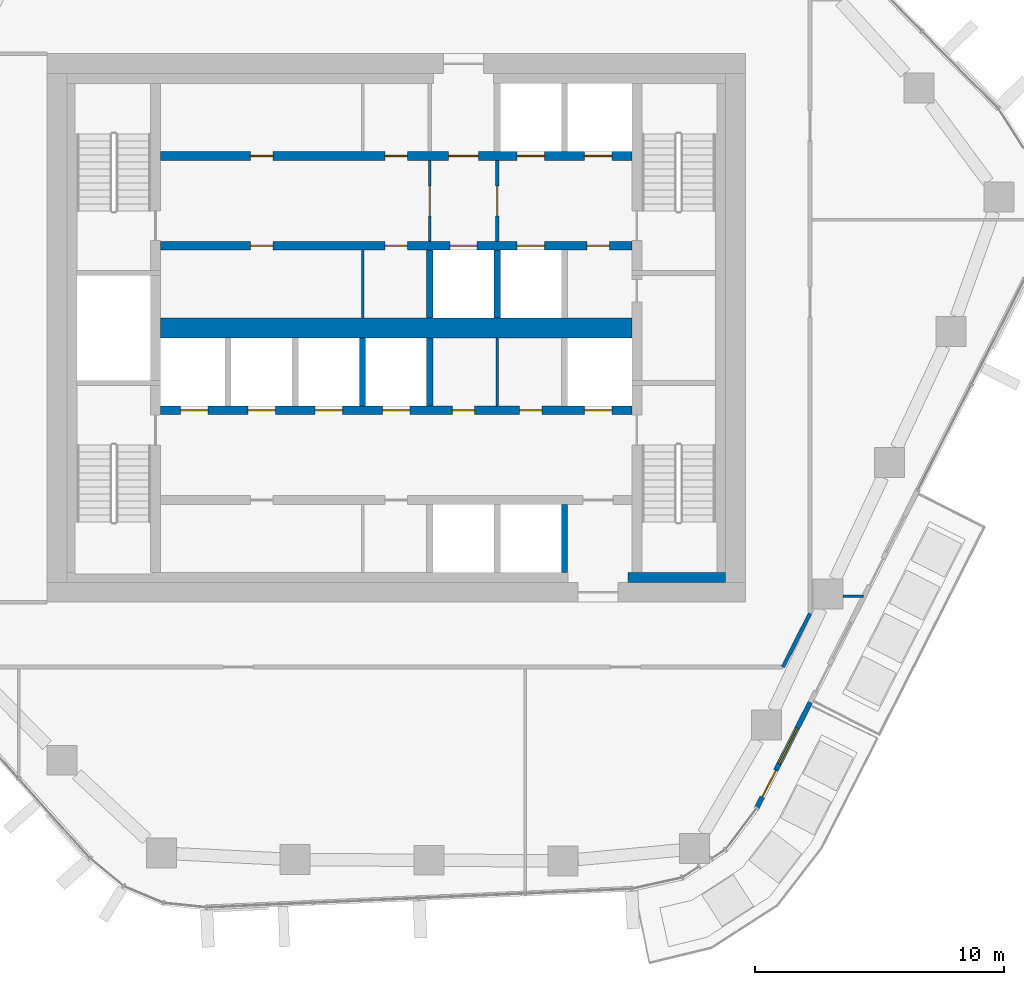
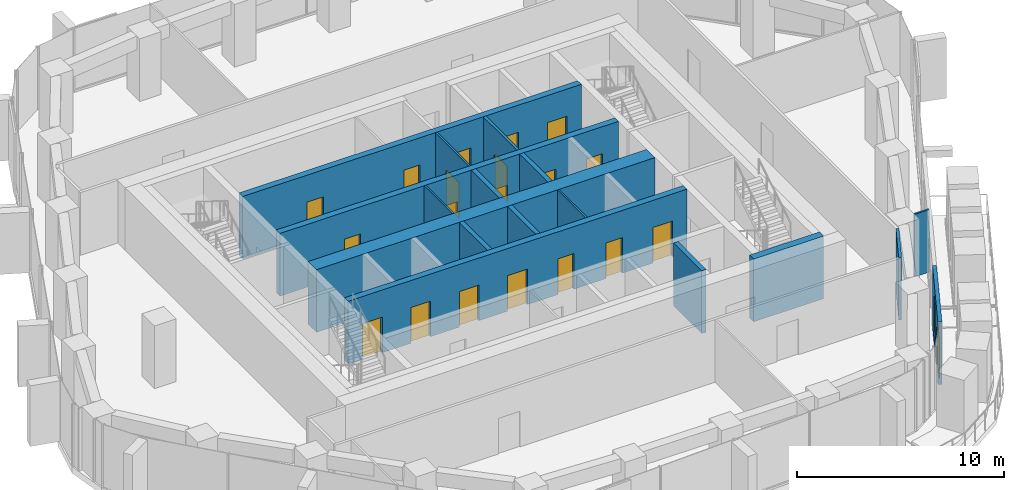
# One storey, part 11 of 17: 20 doors, 17 walls, 1 window, 21 openings.
"""IFC4 building model written with IfcOpenShell, lengths in metres."""

from ifc_helpers import new_model, si_unit, direction, frame, frame_2d, origin, place, context, subcontext, project, spatial, rectangle, extrude, material, layer, layer_set, type_object, element, fill, save


model = new_model("IFC4")

# Units and contexts
model_context = context("Model", 3, precision=1e-05, world=origin(), true_north=direction((0.0, 1.0)))
body_context = subcontext(model_context, "Body", "Model", "MODEL_VIEW")
ifc_project = project(units=[si_unit("LENGTHUNIT", "METRE"), si_unit("AREAUNIT", "SQUARE_METRE"), si_unit("VOLUMEUNIT", "CUBIC_METRE"), si_unit("PLANEANGLEUNIT", "RADIAN"), si_unit("MASSUNIT", "GRAM", prefix="KILO")], contexts=[model_context])

# Site, building, storey
site_placement = place(None, origin())
site = spatial("IfcSite", under=ifc_project, at=site_placement, CompositionType="ELEMENT")
building_placement = place(site_placement, origin())
building = spatial("IfcBuilding", under=site, at=building_placement, Name="Dongbaek Canopy Tower", CompositionType="ELEMENT")
storey_placement = place(building_placement, frame((0.0, 0.0, 179.60009765625)))
storey = spatial("IfcBuildingStorey", under=building, at=storey_placement, Name="L39", CompositionType="ELEMENT", Elevation=179.60009765625)

# Wall
ifc_material_1 = material(Name="Concrete C60/75", Category="concrete")
ifc_layer_1 = layer(ifc_material_1, 0.800048828125)
ifc_layer_set_1 = layer_set([ifc_layer_1], Name="Core central wall 800 Concrete C60/75")
wall_type_1 = type_object("IfcWallType", Name="Core central wall 800 Concrete C60/75", PredefinedType="SHEAR", material=ifc_layer_set_1)
wall_1_placement = place(storey_placement, frame((-9.449951171875, 0.0, 0.0), z_axis=(0.0, 0.0, 1.0), x_axis=(1.0, 0.0, 0.0)))
element("IfcWall", 1, at=wall_1_placement, inside=storey, type_object=wall_type_1, Name="Core wall", PredefinedType="SHEAR", context=body_context, shape_type="SweptSolid", body=[
    extrude(rectangle(XDim=18.89990234375, YDim=0.800048828125, at=frame_2d((9.449951171875, 0.0))), origin(), (0.0, 0.0, 1.0), 3.699951171875),
])

# Wall, openings, doors
ifc_material_2 = material(Name="Concrete C60/75", Category="concrete")
ifc_layer_2 = layer(ifc_material_2, 0.35009765625)
ifc_layer_set_2 = layer_set([ifc_layer_2], Name="Core lobby wall 350 Concrete C60/75")
wall_type_2 = type_object("IfcWallType", Name="Core lobby wall 350 Concrete C60/75", PredefinedType="SHEAR", material=ifc_layer_set_2)
wall_2_placement = place(storey_placement, frame((-9.449951171875, 6.89990234375, 0.0), z_axis=(0.0, 0.0, 1.0), x_axis=(1.0, 0.0, 0.0)))
wall_2 = element("IfcWall", 2, at=wall_2_placement, inside=storey, type_object=wall_type_2, Name="Core wall", PredefinedType="SHEAR", context=body_context, shape_type="SweptSolid", body=[
    extrude(rectangle(XDim=18.89990234375, YDim=0.35009765625, at=frame_2d((9.449951171875, 0.0))), origin(), (0.0, 0.0, 1.0), 3.699951171875),
])
opening_1_placement = place(wall_2_placement, frame((11.550048828125, 0.0, 0.0)))
opening_1 = element("IfcOpeningElement", 3, at=opening_1_placement, cuts=wall_2, Name="Opening L39-D009", PredefinedType="OPENING", context=body_context, shape_type="SweptSolid", body=[
    extrude(rectangle(XDim=1.199951171875, YDim=2.10009765625, at=frame_2d((0.60009765625, 1.050048828125))), frame((0.0, 0.18505859375, 0.0), z_axis=(0.0, -1.0, 0.0), x_axis=(1.0, 0.0, 0.0)), (0.0, 0.0, 1.0), 0.3701171875),
])
opening_2_placement = place(wall_2_placement, frame((14.300048828125, 0.0, 0.0)))
opening_2 = element("IfcOpeningElement", 4, at=opening_2_placement, cuts=wall_2, Name="Opening L39-D010", PredefinedType="OPENING", context=body_context, shape_type="SweptSolid", body=[
    extrude(rectangle(XDim=1.10009765625, YDim=2.10009765625, at=frame_2d((0.550048828125, 1.050048828125))), frame((0.0, 0.18505859375, 0.0), z_axis=(0.0, -1.0, 0.0), x_axis=(1.0, 0.0, 0.0)), (0.0, 0.0, 1.0), 0.3701171875),
])
opening_3_placement = place(wall_2_placement, frame((17.0, 0.0, 0.0)))
opening_3 = element("IfcOpeningElement", 5, at=opening_3_placement, cuts=wall_2, Name="Opening L39-D011", PredefinedType="OPENING", context=body_context, shape_type="SweptSolid", body=[
    extrude(rectangle(XDim=1.10009765625, YDim=2.10009765625, at=frame_2d((0.550048828125, 1.050048828125))), frame((0.0, 0.18505859375, 0.0), z_axis=(0.0, -1.0, 0.0), x_axis=(1.0, 0.0, 0.0)), (0.0, 0.0, 1.0), 0.3701171875),
])
opening_4_placement = place(wall_2_placement, frame((3.60009765625, 0.0, 0.0)))
opening_4 = element("IfcOpeningElement", 6, at=opening_4_placement, cuts=wall_2, Name="Opening L39-D022", PredefinedType="OPENING", context=body_context, shape_type="SweptSolid", body=[
    extrude(rectangle(XDim=0.89990234375, YDim=2.10009765625, at=frame_2d((0.449951171875, 1.050048828125))), frame((0.0, 0.18505859375, 0.0), z_axis=(0.0, -1.0, 0.0), x_axis=(1.0, 0.0, 0.0)), (0.0, 0.0, 1.0), 0.3701171875),
])
opening_5_placement = place(wall_2_placement, frame((9.0, 0.0, 0.0)))
opening_5 = element("IfcOpeningElement", 7, at=opening_5_placement, cuts=wall_2, Name="Opening L39-D023", PredefinedType="OPENING", context=body_context, shape_type="SweptSolid", body=[
    extrude(rectangle(XDim=0.89990234375, YDim=2.10009765625, at=frame_2d((0.449951171875, 1.050048828125))), frame((0.0, 0.18505859375, 0.0), z_axis=(0.0, -1.0, 0.0), x_axis=(1.0, 0.0, 0.0)), (0.0, 0.0, 1.0), 0.3701171875),
])
ifc_material_3 = material(Name="Steel", Category="steel")
door_type_1 = type_object("IfcDoorType", Name="Core room door 900 x 2100", OperationType="SINGLE_SWING_LEFT", PredefinedType="DOOR", material=ifc_material_3)
door_1_placement = place(opening_4_placement, origin())
door_1 = element("IfcDoor", 8, at=door_1_placement, inside=storey, type_object=door_type_1, Name="Door L39-D022", OperationType="SINGLE_SWING_RIGHT", OverallHeight=2.10009765625, OverallWidth=0.89990234375, PredefinedType="DOOR", context=body_context, shape_type="SweptSolid", body=[
    extrude(rectangle(XDim=0.89990234375, YDim=2.10009765625, at=frame_2d((0.449951171875, 1.050048828125))), frame((0.0, 0.02490234375, 0.0), z_axis=(0.0, -1.0, 0.0), x_axis=(1.0, 0.0, 0.0)), (0.0, 0.0, 1.0), 0.050048828125),
])
fill(opening_4, door_1)
door_2_placement = place(opening_5_placement, origin())
door_2 = element("IfcDoor", 9, at=door_2_placement, inside=storey, type_object=door_type_1, Name="Door L39-D023", OperationType="SINGLE_SWING_LEFT", OverallHeight=2.10009765625, OverallWidth=0.89990234375, PredefinedType="DOOR", context=body_context, shape_type="SweptSolid", body=[
    extrude(rectangle(XDim=0.89990234375, YDim=2.10009765625, at=frame_2d((0.449951171875, 1.050048828125))), frame((0.0, 0.02490234375, 0.0), z_axis=(0.0, -1.0, 0.0), x_axis=(1.0, 0.0, 0.0)), (0.0, 0.0, 1.0), 0.050048828125),
])
fill(opening_5, door_2)
ifc_material_4 = material(Name="Steel", Category="steel")
door_type_2 = type_object("IfcDoorType", Name="Fire lobby door 1200 x 2100", OperationType="SINGLE_SWING_LEFT", PredefinedType="DOOR", material=ifc_material_4)
door_3_placement = place(opening_1_placement, origin())
door_3 = element("IfcDoor", 10, at=door_3_placement, inside=storey, type_object=door_type_2, Name="Door L39-D009", OperationType="SINGLE_SWING_LEFT", OverallHeight=2.10009765625, OverallWidth=1.199951171875, PredefinedType="DOOR", context=body_context, shape_type="SweptSolid", body=[
    extrude(rectangle(XDim=1.199951171875, YDim=2.10009765625, at=frame_2d((0.60009765625, 1.050048828125))), frame((0.0, 0.02490234375, 0.0), z_axis=(0.0, -1.0, 0.0), x_axis=(1.0, 0.0, 0.0)), (0.0, 0.0, 1.0), 0.050048828125),
])
fill(opening_1, door_3)
ifc_material_5 = material(Name="Stainless steel", Category="steel")
door_type_3 = type_object("IfcDoorType", Name="Lift landing door 1100 x 2100", OperationType="DOUBLE_DOOR_SLIDING", PredefinedType="DOOR", material=ifc_material_5)
door_4_placement = place(opening_2_placement, origin())
door_4 = element("IfcDoor", 11, at=door_4_placement, inside=storey, type_object=door_type_3, Name="Landing door FF1", OperationType="DOUBLE_DOOR_SLIDING", OverallHeight=2.10009765625, OverallWidth=1.10009765625, PredefinedType="DOOR", context=body_context, shape_type="SweptSolid", body=[
    extrude(rectangle(XDim=1.10009765625, YDim=2.10009765625, at=frame_2d((0.550048828125, 1.050048828125))), frame((0.0, 0.02490234375, 0.0), z_axis=(0.0, -1.0, 0.0), x_axis=(1.0, 0.0, 0.0)), (0.0, 0.0, 1.0), 0.050048828125),
])
fill(opening_2, door_4)
door_5_placement = place(opening_3_placement, origin())
door_5 = element("IfcDoor", 12, at=door_5_placement, inside=storey, type_object=door_type_3, Name="Landing door FF2", OperationType="DOUBLE_DOOR_SLIDING", OverallHeight=2.10009765625, OverallWidth=1.10009765625, PredefinedType="DOOR", context=body_context, shape_type="SweptSolid", body=[
    extrude(rectangle(XDim=1.10009765625, YDim=2.10009765625, at=frame_2d((0.550048828125, 1.050048828125))), frame((0.0, 0.02490234375, 0.0), z_axis=(0.0, -1.0, 0.0), x_axis=(1.0, 0.0, 0.0)), (0.0, 0.0, 1.0), 0.050048828125),
])
fill(opening_3, door_5)

wall_3_placement = place(storey_placement, frame((9.449951171875, 3.300048828125, 0.0), z_axis=(0.0, 0.0, 1.0), x_axis=(-1.0, 0.0, 0.0)))
wall_3 = element("IfcWall", 13, at=wall_3_placement, inside=storey, type_object=wall_type_2, Name="Core wall", PredefinedType="SHEAR", context=body_context, shape_type="SweptSolid", body=[
    extrude(rectangle(XDim=18.89990234375, YDim=0.35009765625, at=frame_2d((9.449951171875, 0.0))), origin(), (0.0, 0.0, 1.0), 3.699951171875),
])
opening_6_placement = place(wall_3_placement, frame((6.199951171875, 0.0, 0.0)))
opening_6 = element("IfcOpeningElement", 14, at=opening_6_placement, cuts=wall_3, Name="Opening L39-D012", PredefinedType="OPENING", context=body_context, shape_type="SweptSolid", body=[
    extrude(rectangle(XDim=1.10009765625, YDim=2.10009765625, at=frame_2d((0.550048828125, 1.050048828125))), frame((0.0, 0.18505859375, 0.0), z_axis=(0.0, -1.0, 0.0), x_axis=(1.0, 0.0, 0.0)), (0.0, 0.0, 1.0), 0.3701171875),
])
opening_7_placement = place(wall_3_placement, frame((3.5, 0.0, 0.0)))
opening_7 = element("IfcOpeningElement", 15, at=opening_7_placement, cuts=wall_3, Name="Opening L39-D013", PredefinedType="OPENING", context=body_context, shape_type="SweptSolid", body=[
    extrude(rectangle(XDim=1.10009765625, YDim=2.10009765625, at=frame_2d((0.550048828125, 1.050048828125))), frame((0.0, 0.18505859375, 0.0), z_axis=(0.0, -1.0, 0.0), x_axis=(1.0, 0.0, 0.0)), (0.0, 0.0, 1.0), 0.3701171875),
])
opening_8_placement = place(wall_3_placement, frame((0.89990234375, 0.0, 0.0)))
opening_8 = element("IfcOpeningElement", 16, at=opening_8_placement, cuts=wall_3, Name="Opening L39-D014", PredefinedType="OPENING", context=body_context, shape_type="SweptSolid", body=[
    extrude(rectangle(XDim=0.89990234375, YDim=2.10009765625, at=frame_2d((0.449951171875, 1.050048828125))), frame((0.0, 0.18505859375, 0.0), z_axis=(0.0, -1.0, 0.0), x_axis=(1.0, 0.0, 0.0)), (0.0, 0.0, 1.0), 0.3701171875),
])
opening_9_placement = place(wall_3_placement, frame((14.39990234375, 0.0, 0.0)))
opening_9 = element("IfcOpeningElement", 17, at=opening_9_placement, cuts=wall_3, Name="Opening L39-D024", PredefinedType="OPENING", context=body_context, shape_type="SweptSolid", body=[
    extrude(rectangle(XDim=0.89990234375, YDim=2.10009765625, at=frame_2d((0.449951171875, 1.050048828125))), frame((0.0, 0.18505859375, 0.0), z_axis=(0.0, -1.0, 0.0), x_axis=(1.0, 0.0, 0.0)), (0.0, 0.0, 1.0), 0.3701171875),
])
opening_10_placement = place(wall_3_placement, frame((9.0, 0.0, 0.0)))
opening_10 = element("IfcOpeningElement", 18, at=opening_10_placement, cuts=wall_3, Name="Opening L39-D025", PredefinedType="OPENING", context=body_context, shape_type="SweptSolid", body=[
    extrude(rectangle(XDim=0.89990234375, YDim=2.10009765625, at=frame_2d((0.449951171875, 1.050048828125))), frame((0.0, 0.18505859375, 0.0), z_axis=(0.0, -1.0, 0.0), x_axis=(1.0, 0.0, 0.0)), (0.0, 0.0, 1.0), 0.3701171875),
])
door_6_placement = place(opening_8_placement, origin())
door_6 = element("IfcDoor", 19, at=door_6_placement, inside=storey, type_object=door_type_1, Name="Door L39-D014", OperationType="SINGLE_SWING_LEFT", OverallHeight=2.10009765625, OverallWidth=0.89990234375, PredefinedType="DOOR", context=body_context, shape_type="SweptSolid", body=[
    extrude(rectangle(XDim=0.89990234375, YDim=2.10009765625, at=frame_2d((0.449951171875, 1.050048828125))), frame((0.0, 0.02490234375, 0.0), z_axis=(0.0, -1.0, 0.0), x_axis=(1.0, 0.0, 0.0)), (0.0, 0.0, 1.0), 0.050048828125),
])
fill(opening_8, door_6)
door_7_placement = place(opening_9_placement, origin())
door_7 = element("IfcDoor", 20, at=door_7_placement, inside=storey, type_object=door_type_1, Name="Door L39-D024", OperationType="SINGLE_SWING_RIGHT", OverallHeight=2.10009765625, OverallWidth=0.89990234375, PredefinedType="DOOR", context=body_context, shape_type="SweptSolid", body=[
    extrude(rectangle(XDim=0.89990234375, YDim=2.10009765625, at=frame_2d((0.449951171875, 1.050048828125))), frame((0.0, 0.02490234375, 0.0), z_axis=(0.0, -1.0, 0.0), x_axis=(1.0, 0.0, 0.0)), (0.0, 0.0, 1.0), 0.050048828125),
])
fill(opening_9, door_7)
door_8_placement = place(opening_10_placement, origin())
door_8 = element("IfcDoor", 21, at=door_8_placement, inside=storey, type_object=door_type_1, Name="Door L39-D025", OperationType="SINGLE_SWING_LEFT", OverallHeight=2.10009765625, OverallWidth=0.89990234375, PredefinedType="DOOR", context=body_context, shape_type="SweptSolid", body=[
    extrude(rectangle(XDim=0.89990234375, YDim=2.10009765625, at=frame_2d((0.449951171875, 1.050048828125))), frame((0.0, 0.02490234375, 0.0), z_axis=(0.0, -1.0, 0.0), x_axis=(1.0, 0.0, 0.0)), (0.0, 0.0, 1.0), 0.050048828125),
])
fill(opening_10, door_8)
door_9_placement = place(opening_6_placement, origin())
door_9 = element("IfcDoor", 22, at=door_9_placement, inside=storey, type_object=door_type_3, Name="Landing door SV1", OperationType="DOUBLE_DOOR_SLIDING", OverallHeight=2.10009765625, OverallWidth=1.10009765625, PredefinedType="DOOR", context=body_context, shape_type="SweptSolid", body=[
    extrude(rectangle(XDim=1.10009765625, YDim=2.10009765625, at=frame_2d((0.550048828125, 1.050048828125))), frame((0.0, 0.02490234375, 0.0), z_axis=(0.0, -1.0, 0.0), x_axis=(1.0, 0.0, 0.0)), (0.0, 0.0, 1.0), 0.050048828125),
])
fill(opening_6, door_9)
door_10_placement = place(opening_7_placement, origin())
door_10 = element("IfcDoor", 23, at=door_10_placement, inside=storey, type_object=door_type_3, Name="Landing door FF3", OperationType="DOUBLE_DOOR_SLIDING", OverallHeight=2.10009765625, OverallWidth=1.10009765625, PredefinedType="DOOR", context=body_context, shape_type="SweptSolid", body=[
    extrude(rectangle(XDim=1.10009765625, YDim=2.10009765625, at=frame_2d((0.550048828125, 1.050048828125))), frame((0.0, 0.02490234375, 0.0), z_axis=(0.0, -1.0, 0.0), x_axis=(1.0, 0.0, 0.0)), (0.0, 0.0, 1.0), 0.050048828125),
])
fill(opening_7, door_10)

wall_4_placement = place(storey_placement, frame((-9.449951171875, -3.300048828125, 0.0), z_axis=(0.0, 0.0, 1.0), x_axis=(1.0, 0.0, 0.0)))
wall_4 = element("IfcWall", 24, at=wall_4_placement, inside=storey, type_object=wall_type_2, Name="Core wall", PredefinedType="SHEAR", context=body_context, shape_type="SweptSolid", body=[
    extrude(rectangle(XDim=18.89990234375, YDim=0.35009765625, at=frame_2d((9.449951171875, 0.0))), origin(), (0.0, 0.0, 1.0), 3.699951171875),
])
opening_11_placement = place(wall_4_placement, frame((0.800048828125, 0.0, 0.0)))
opening_11 = element("IfcOpeningElement", 25, at=opening_11_placement, cuts=wall_4, Name="Opening L39-D015", PredefinedType="OPENING", context=body_context, shape_type="SweptSolid", body=[
    extrude(rectangle(XDim=1.10009765625, YDim=2.10009765625, at=frame_2d((0.550048828125, 1.050048828125))), frame((0.0, 0.18505859375, 0.0), z_axis=(0.0, -1.0, 0.0), x_axis=(1.0, 0.0, 0.0)), (0.0, 0.0, 1.0), 0.3701171875),
])
opening_12_placement = place(wall_4_placement, frame((3.5, 0.0, 0.0)))
opening_12 = element("IfcOpeningElement", 26, at=opening_12_placement, cuts=wall_4, Name="Opening L39-D016", PredefinedType="OPENING", context=body_context, shape_type="SweptSolid", body=[
    extrude(rectangle(XDim=1.10009765625, YDim=2.10009765625, at=frame_2d((0.550048828125, 1.050048828125))), frame((0.0, 0.18505859375, 0.0), z_axis=(0.0, -1.0, 0.0), x_axis=(1.0, 0.0, 0.0)), (0.0, 0.0, 1.0), 0.3701171875),
])
opening_13_placement = place(wall_4_placement, frame((6.199951171875, 0.0, 0.0)))
opening_13 = element("IfcOpeningElement", 27, at=opening_13_placement, cuts=wall_4, Name="Opening L39-D017", PredefinedType="OPENING", context=body_context, shape_type="SweptSolid", body=[
    extrude(rectangle(XDim=1.10009765625, YDim=2.10009765625, at=frame_2d((0.550048828125, 1.050048828125))), frame((0.0, 0.18505859375, 0.0), z_axis=(0.0, -1.0, 0.0), x_axis=(1.0, 0.0, 0.0)), (0.0, 0.0, 1.0), 0.3701171875),
])
opening_14_placement = place(wall_4_placement, frame((8.89990234375, 0.0, 0.0)))
opening_14 = element("IfcOpeningElement", 28, at=opening_14_placement, cuts=wall_4, Name="Opening L39-D018", PredefinedType="OPENING", context=body_context, shape_type="SweptSolid", body=[
    extrude(rectangle(XDim=1.10009765625, YDim=2.10009765625, at=frame_2d((0.550048828125, 1.050048828125))), frame((0.0, 0.18505859375, 0.0), z_axis=(0.0, -1.0, 0.0), x_axis=(1.0, 0.0, 0.0)), (0.0, 0.0, 1.0), 0.3701171875),
])
opening_15_placement = place(wall_4_placement, frame((17.0, 0.0, 0.0)))
opening_15 = element("IfcOpeningElement", 29, at=opening_15_placement, cuts=wall_4, Name="Opening L39-D019", PredefinedType="OPENING", context=body_context, shape_type="SweptSolid", body=[
    extrude(rectangle(XDim=1.10009765625, YDim=2.10009765625, at=frame_2d((0.550048828125, 1.050048828125))), frame((0.0, 0.18505859375, 0.0), z_axis=(0.0, -1.0, 0.0), x_axis=(1.0, 0.0, 0.0)), (0.0, 0.0, 1.0), 0.3701171875),
])
opening_16_placement = place(wall_4_placement, frame((11.699951171875, 0.0, 0.0)))
opening_16 = element("IfcOpeningElement", 30, at=opening_16_placement, cuts=wall_4, Name="Opening L39-D026", PredefinedType="OPENING", context=body_context, shape_type="SweptSolid", body=[
    extrude(rectangle(XDim=0.89990234375, YDim=2.10009765625, at=frame_2d((0.449951171875, 1.050048828125))), frame((0.0, 0.18505859375, 0.0), z_axis=(0.0, -1.0, 0.0), x_axis=(1.0, 0.0, 0.0)), (0.0, 0.0, 1.0), 0.3701171875),
])
opening_17_placement = place(wall_4_placement, frame((14.39990234375, 0.0, 0.0)))
opening_17 = element("IfcOpeningElement", 31, at=opening_17_placement, cuts=wall_4, Name="Opening L39-D027", PredefinedType="OPENING", context=body_context, shape_type="SweptSolid", body=[
    extrude(rectangle(XDim=0.89990234375, YDim=2.10009765625, at=frame_2d((0.449951171875, 1.050048828125))), frame((0.0, 0.18505859375, 0.0), z_axis=(0.0, -1.0, 0.0), x_axis=(1.0, 0.0, 0.0)), (0.0, 0.0, 1.0), 0.3701171875),
])
door_11_placement = place(opening_16_placement, origin())
door_11 = element("IfcDoor", 32, at=door_11_placement, inside=storey, type_object=door_type_1, Name="Door L39-D026", OperationType="SINGLE_SWING_RIGHT", OverallHeight=2.10009765625, OverallWidth=0.89990234375, PredefinedType="DOOR", context=body_context, shape_type="SweptSolid", body=[
    extrude(rectangle(XDim=0.89990234375, YDim=2.10009765625, at=frame_2d((0.449951171875, 1.050048828125))), frame((0.0, 0.02490234375, 0.0), z_axis=(0.0, -1.0, 0.0), x_axis=(1.0, 0.0, 0.0)), (0.0, 0.0, 1.0), 0.050048828125),
])
fill(opening_16, door_11)
door_12_placement = place(opening_17_placement, origin())
door_12 = element("IfcDoor", 33, at=door_12_placement, inside=storey, type_object=door_type_1, Name="Door L39-D027", OperationType="SINGLE_SWING_LEFT", OverallHeight=2.10009765625, OverallWidth=0.89990234375, PredefinedType="DOOR", context=body_context, shape_type="SweptSolid", body=[
    extrude(rectangle(XDim=0.89990234375, YDim=2.10009765625, at=frame_2d((0.449951171875, 1.050048828125))), frame((0.0, 0.02490234375, 0.0), z_axis=(0.0, -1.0, 0.0), x_axis=(1.0, 0.0, 0.0)), (0.0, 0.0, 1.0), 0.050048828125),
])
fill(opening_17, door_12)
door_13_placement = place(opening_11_placement, origin())
door_13 = element("IfcDoor", 34, at=door_13_placement, inside=storey, type_object=door_type_3, Name="Landing door MR1", OperationType="DOUBLE_DOOR_SLIDING", OverallHeight=2.10009765625, OverallWidth=1.10009765625, PredefinedType="DOOR", context=body_context, shape_type="SweptSolid", body=[
    extrude(rectangle(XDim=1.10009765625, YDim=2.10009765625, at=frame_2d((0.550048828125, 1.050048828125))), frame((0.0, 0.02490234375, 0.0), z_axis=(0.0, -1.0, 0.0), x_axis=(1.0, 0.0, 0.0)), (0.0, 0.0, 1.0), 0.050048828125),
])
fill(opening_11, door_13)
door_14_placement = place(opening_12_placement, origin())
door_14 = element("IfcDoor", 35, at=door_14_placement, inside=storey, type_object=door_type_3, Name="Landing door MR2", OperationType="DOUBLE_DOOR_SLIDING", OverallHeight=2.10009765625, OverallWidth=1.10009765625, PredefinedType="DOOR", context=body_context, shape_type="SweptSolid", body=[
    extrude(rectangle(XDim=1.10009765625, YDim=2.10009765625, at=frame_2d((0.550048828125, 1.050048828125))), frame((0.0, 0.02490234375, 0.0), z_axis=(0.0, -1.0, 0.0), x_axis=(1.0, 0.0, 0.0)), (0.0, 0.0, 1.0), 0.050048828125),
])
fill(opening_12, door_14)
door_15_placement = place(opening_13_placement, origin())
door_15 = element("IfcDoor", 36, at=door_15_placement, inside=storey, type_object=door_type_3, Name="Landing door MR3", OperationType="DOUBLE_DOOR_SLIDING", OverallHeight=2.10009765625, OverallWidth=1.10009765625, PredefinedType="DOOR", context=body_context, shape_type="SweptSolid", body=[
    extrude(rectangle(XDim=1.10009765625, YDim=2.10009765625, at=frame_2d((0.550048828125, 1.050048828125))), frame((0.0, 0.02490234375, 0.0), z_axis=(0.0, -1.0, 0.0), x_axis=(1.0, 0.0, 0.0)), (0.0, 0.0, 1.0), 0.050048828125),
])
fill(opening_13, door_15)
door_16_placement = place(opening_14_placement, origin())
door_16 = element("IfcDoor", 37, at=door_16_placement, inside=storey, type_object=door_type_3, Name="Landing door MR4", OperationType="DOUBLE_DOOR_SLIDING", OverallHeight=2.10009765625, OverallWidth=1.10009765625, PredefinedType="DOOR", context=body_context, shape_type="SweptSolid", body=[
    extrude(rectangle(XDim=1.10009765625, YDim=2.10009765625, at=frame_2d((0.550048828125, 1.050048828125))), frame((0.0, 0.02490234375, 0.0), z_axis=(0.0, -1.0, 0.0), x_axis=(1.0, 0.0, 0.0)), (0.0, 0.0, 1.0), 0.050048828125),
])
fill(opening_14, door_16)
door_17_placement = place(opening_15_placement, origin())
door_17 = element("IfcDoor", 38, at=door_17_placement, inside=storey, type_object=door_type_3, Name="Landing door SV2", OperationType="DOUBLE_DOOR_SLIDING", OverallHeight=2.10009765625, OverallWidth=1.10009765625, PredefinedType="DOOR", context=body_context, shape_type="SweptSolid", body=[
    extrude(rectangle(XDim=1.10009765625, YDim=2.10009765625, at=frame_2d((0.550048828125, 1.050048828125))), frame((0.0, 0.02490234375, 0.0), z_axis=(0.0, -1.0, 0.0), x_axis=(1.0, 0.0, 0.0)), (0.0, 0.0, 1.0), 0.050048828125),
])
fill(opening_15, door_17)

# Walls
ifc_material_6 = material(Name="Concrete C60/75", Category="concrete")
ifc_layer_3 = layer(ifc_material_6, 0.39990234375)
ifc_layer_set_3 = layer_set([ifc_layer_3], Name="Core wall lining 400 Concrete C60/75")
wall_type_3 = type_object("IfcWallType", Name="Core wall lining 400 Concrete C60/75", PredefinedType="SHEAR", material=ifc_layer_set_3)
wall_5_placement = place(storey_placement, frame((13.199951171875, -10.0, 0.0), z_axis=(0.0, 0.0, 1.0), x_axis=(-1.0, 0.0, 0.0)))
element("IfcWall", 39, at=wall_5_placement, inside=storey, type_object=wall_type_3, Name="Core wall lining", PredefinedType="SHEAR", context=body_context, shape_type="SweptSolid", body=[
    extrude(rectangle(XDim=3.89990234375, YDim=0.39990234375, at=frame_2d((1.949951171875, 0.0))), origin(), (0.0, 0.0, 1.0), 3.699951171875),
])
ifc_material_7 = material(Name="Gypsum board partition, steel stud, 2 x 15 mm fire board", Category="steel")
ifc_layer_4 = layer(ifc_material_7, 0.14990234375)
ifc_layer_set_4 = layer_set([ifc_layer_4], Name="Fire-rated partition 150 gypsum board")
wall_type_4 = type_object("IfcWallType", Name="Fire-rated partition 150 gypsum board", PredefinedType="PARTITIONING", material=ifc_layer_set_4)
wall_6_placement = place(storey_placement, frame((15.5107421875, -13.60009765625, 0.0), z_axis=(0.0, 0.0, 1.0), x_axis=(0.45198735735, 0.892024343163, 0.0)))
element("IfcWall", 40, at=wall_6_placement, inside=storey, type_object=wall_type_4, Name="Corridor partition", PredefinedType="PARTITIONING", context=body_context, shape_type="SweptSolid", body=[
    extrude(rectangle(XDim=2.41064453125, YDim=0.14990234375, at=frame_2d((1.205322265625, 0.0))), origin(), (0.0, 0.0, 1.0), 3.699951171875),
])

# Wall, opening, door
wall_7_placement = place(storey_placement, frame((4.050048828125, 6.72509765625, 0.0), z_axis=(0.0, 0.0, 1.0), x_axis=(0.0, -1.0, 0.0)))
wall_7 = element("IfcWall", 41, at=wall_7_placement, inside=storey, type_object=wall_type_4, Name="Fire lobby partition", PredefinedType="PARTITIONING", context=body_context, shape_type="SweptSolid", body=[
    extrude(rectangle(XDim=3.25, YDim=0.14990234375, at=frame_2d((1.625, 0.0))), origin(), (0.0, 0.0, 1.0), 3.699951171875),
])
opening_18_placement = place(wall_7_placement, frame((1.02490234375, 0.0, 0.0)))
opening_18 = element("IfcOpeningElement", 42, at=opening_18_placement, cuts=wall_7, Name="Opening L39-D035", PredefinedType="OPENING", context=body_context, shape_type="SweptSolid", body=[
    extrude(rectangle(XDim=1.199951171875, YDim=2.10009765625, at=frame_2d((0.60009765625, 1.050048828125))), frame((0.0, 0.0849609375, 0.0), z_axis=(0.0, -1.0, 0.0), x_axis=(1.0, 0.0, 0.0)), (0.0, 0.0, 1.0), 0.169921875),
])
door_18_placement = place(opening_18_placement, origin())
door_18 = element("IfcDoor", 43, at=door_18_placement, inside=storey, type_object=door_type_2, Name="Door L39-D035", OperationType="SINGLE_SWING_RIGHT", OverallHeight=2.10009765625, OverallWidth=1.199951171875, PredefinedType="DOOR", context=body_context, shape_type="SweptSolid", body=[
    extrude(rectangle(XDim=1.199951171875, YDim=2.10009765625, at=frame_2d((0.60009765625, 1.050048828125))), frame((0.0, 0.02490234375, 0.0), z_axis=(0.0, -1.0, 0.0), x_axis=(1.0, 0.0, 0.0)), (0.0, 0.0, 1.0), 0.050048828125),
])
fill(opening_18, door_18)

# Walls
ifc_material_8 = material(Name="Concrete C40/50", Category="concrete")
ifc_layer_5 = layer(ifc_material_8, 0.25)
ifc_layer_set_5 = layer_set([ifc_layer_5], Name="Lift shaft wall 250 Concrete C40/50")
wall_type_5 = type_object("IfcWallType", Name="Lift shaft wall 250 Concrete C40/50", PredefinedType="SOLIDWALL", material=ifc_layer_set_5)
for number, where, z_axis, x_axis, name in (
    (44, (6.75, -9.800048828125, 0.0), (0.0, 0.0, 1.0), (0.0, 1.0, 0.0), "Lift shaft wall"),
    (45, (4.050048828125, 0.39990234375, 0.0), (0.0, 0.0, 1.0), (0.0, 1.0, 0.0), "Lift shaft wall"),
    (46, (1.35009765625, -3.125, 0.0), (0.0, 0.0, 1.0), (0.0, 1.0, 0.0), "Lift shaft wall"),
    (47, (1.35009765625, 0.39990234375, 0.0), (0.0, 0.0, 1.0), (0.0, 1.0, 0.0), "Lift shaft wall"),
    (48, (-1.35009765625, -3.125, 0.0), (0.0, 0.0, 1.0), (0.0, 1.0, 0.0), "Lift shaft wall"),
):
    element("IfcWall", number, at=place(storey_placement, frame(where, z_axis=z_axis, x_axis=x_axis)), inside=storey, type_object=wall_type_5, Name=name, PredefinedType="SOLIDWALL", context=body_context, shape_type="SweptSolid", body=[
        extrude(rectangle(XDim=2.72509765625, YDim=0.25, at=frame_2d((1.362548828125, 0.0))), origin(), (0.0, 0.0, 1.0), 3.699951171875),
    ])
ifc_material_9 = material(Name="Gypsum board partition, steel stud, 2 x 12.5 mm board", Category="steel")
ifc_layer_6 = layer(ifc_material_9, 0.10009765625)
ifc_layer_set_6 = layer_set([ifc_layer_6], Name="Partition 100 gypsum board")
wall_type_6 = type_object("IfcWallType", Name="Partition 100 gypsum board", PredefinedType="PARTITIONING", material=ifc_layer_set_6)
wall_8_placement = place(storey_placement, frame((17.922119140625, -10.76806640625, 0.0), z_axis=(0.0, 0.0, 1.0), x_axis=(1.0, 0.0, 0.0)))
element("IfcWall", 49, at=wall_8_placement, inside=storey, type_object=wall_type_6, Name="Partition", PredefinedType="PARTITIONING", context=body_context, shape_type="SweptSolid", body=[
    extrude(rectangle(XDim=0.817138671875, YDim=0.10009765625, at=frame_2d((0.40869140625, 0.0))), origin(), (0.0, 0.0, 1.0), 3.699951171875),
])
wall_9_placement = place(storey_placement, frame((4.050048828125, -3.125, 0.0), z_axis=(0.0, 0.0, 1.0), x_axis=(0.0, 1.0, 0.0)))
element("IfcWall", 50, at=wall_9_placement, inside=storey, type_object=wall_type_6, Name="Core partition", PredefinedType="PARTITIONING", context=body_context, shape_type="SweptSolid", body=[
    extrude(rectangle(XDim=2.72509765625, YDim=0.10009765625, at=frame_2d((1.362548828125, 0.0))), origin(), (0.0, 0.0, 1.0), 3.699951171875),
])

# Wall, opening, door
wall_10_placement = place(storey_placement, frame((1.35009765625, 6.72509765625, 0.0), z_axis=(0.0, 0.0, 1.0), x_axis=(0.0, -1.0, 0.0)))
wall_10 = element("IfcWall", 51, at=wall_10_placement, inside=storey, type_object=wall_type_6, Name="Core partition", PredefinedType="PARTITIONING", context=body_context, shape_type="SweptSolid", body=[
    extrude(rectangle(XDim=3.25, YDim=0.10009765625, at=frame_2d((1.625, 0.0))), origin(), (0.0, 0.0, 1.0), 3.699951171875),
])
opening_19_placement = place(wall_10_placement, frame((1.02490234375, 0.0, 0.0)))
opening_19 = element("IfcOpeningElement", 52, at=opening_19_placement, cuts=wall_10, Name="Opening L39-D034", PredefinedType="OPENING", context=body_context, shape_type="SweptSolid", body=[
    extrude(rectangle(XDim=1.199951171875, YDim=2.10009765625, at=frame_2d((0.60009765625, 1.050048828125))), frame((0.0, 0.06005859375, 0.0), z_axis=(0.0, -1.0, 0.0), x_axis=(1.0, 0.0, 0.0)), (0.0, 0.0, 1.0), 0.1201171875),
])
door_19_placement = place(opening_19_placement, origin())
door_19 = element("IfcDoor", 53, at=door_19_placement, inside=storey, type_object=door_type_2, Name="Door L39-D034", OperationType="SINGLE_SWING_LEFT", OverallHeight=2.10009765625, OverallWidth=1.199951171875, PredefinedType="DOOR", context=body_context, shape_type="SweptSolid", body=[
    extrude(rectangle(XDim=1.199951171875, YDim=2.10009765625, at=frame_2d((0.60009765625, 1.050048828125))), frame((0.0, 0.02490234375, 0.0), z_axis=(0.0, -1.0, 0.0), x_axis=(1.0, 0.0, 0.0)), (0.0, 0.0, 1.0), 0.050048828125),
])
fill(opening_19, door_19)

# Wall
wall_11_placement = place(storey_placement, frame((-1.35009765625, 0.39990234375, 0.0), z_axis=(0.0, 0.0, 1.0), x_axis=(0.0, 1.0, 0.0)))
element("IfcWall", 54, at=wall_11_placement, inside=storey, type_object=wall_type_6, Name="Core partition", PredefinedType="PARTITIONING", context=body_context, shape_type="SweptSolid", body=[
    extrude(rectangle(XDim=2.72509765625, YDim=0.10009765625, at=frame_2d((1.362548828125, 0.0))), origin(), (0.0, 0.0, 1.0), 3.699951171875),
])

# Wall, openings, door, window
ifc_material_10 = material(Name="Aluminium window wall", Category="aluminium")
ifc_layer_7 = layer(ifc_material_10, 0.199951171875)
ifc_layer_set_7 = layer_set([ifc_layer_7], Name="Window wall 200")
wall_type_7 = type_object("IfcWallType", Name="Window wall 200", PredefinedType="SOLIDWALL", material=ifc_layer_set_7)
wall_12_placement = place(storey_placement, frame((14.4580078125, -19.2607421875, 0.0), z_axis=(0.0, 0.0, 1.0), x_axis=(0.452011627796, 0.892012044951, 0.0)))
wall_12 = element("IfcWall", 55, at=wall_12_placement, inside=storey, type_object=wall_type_7, Name="Window wall L39 2", PredefinedType="SOLIDWALL", context=body_context, shape_type="SweptSolid", body=[
    extrude(rectangle(XDim=4.75634765625, YDim=0.199951171875, at=frame_2d((2.378173828125, 0.0))), origin(), (0.0, 0.0, 1.0), 3.699951171875),
])
opening_20_placement = place(wall_12_placement, frame((2.0, 0.0, 0.60009765625)))
opening_20 = element("IfcOpeningElement", 56, at=opening_20_placement, cuts=wall_12, Name="Opening W1", PredefinedType="OPENING", context=body_context, shape_type="SweptSolid", body=[
    extrude(rectangle(XDim=1.60009765625, YDim=2.39990234375, at=frame_2d((0.800048828125, 1.199951171875))), frame((0.0, 0.10986328125, 0.0), z_axis=(0.0, -1.0, 0.0), x_axis=(1.0, 0.0, 0.0)), (0.0, 0.0, 1.0), 0.219970703125),
])
opening_21_placement = place(wall_12_placement, frame((0.5, 0.0, 0.0)))
opening_21 = element("IfcOpeningElement", 57, at=opening_21_placement, cuts=wall_12, Name="Opening L39-B03", PredefinedType="OPENING", context=body_context, shape_type="SweptSolid", body=[
    extrude(rectangle(XDim=1.199951171875, YDim=2.39990234375, at=frame_2d((0.60009765625, 1.199951171875))), frame((0.0, 0.10986328125, 0.0), z_axis=(0.0, -1.0, 0.0), x_axis=(1.0, 0.0, 0.0)), (0.0, 0.0, 1.0), 0.219970703125),
])
ifc_material_11 = material(Name="Clear glazing in aluminium frame", Category="aluminium")
door_type_4 = type_object("IfcDoorType", Name="Balcony door BD1 1200 x 2400", OperationType="SLIDING_TO_LEFT", PredefinedType="DOOR", material=ifc_material_11)
door_20_placement = place(opening_21_placement, origin())
door_20 = element("IfcDoor", 58, at=door_20_placement, inside=storey, type_object=door_type_4, Name="Balcony door L39-B03", OperationType="SLIDING_TO_LEFT", OverallHeight=2.39990234375, OverallWidth=1.199951171875, PredefinedType="DOOR", context=body_context, shape_type="SweptSolid", body=[
    extrude(rectangle(XDim=1.199951171875, YDim=2.39990234375, at=frame_2d((0.60009765625, 1.199951171875))), frame((0.0, 0.02490234375, 0.0), z_axis=(0.0, -1.0, 0.0), x_axis=(1.0, 0.0, 0.0)), (0.0, 0.0, 1.0), 0.050048828125),
])
fill(opening_21, door_20)
ifc_material_12 = material(Name="Clear glazing in aluminium frame", Category="aluminium")
window_type = type_object("IfcWindowType", Name="Window W1 1600 x 2400", PartitioningType="SINGLE_PANEL", PredefinedType="WINDOW", material=ifc_material_12)
window_placement = place(opening_20_placement, origin())
window = element("IfcWindow", 59, at=window_placement, inside=storey, type_object=window_type, Name="Window L39 2.1", OverallHeight=2.39990234375, OverallWidth=1.60009765625, PartitioningType="SINGLE_PANEL", PredefinedType="WINDOW", context=body_context, shape_type="SweptSolid", body=[
    extrude(rectangle(XDim=1.60009765625, YDim=2.39990234375, at=frame_2d((0.800048828125, 1.199951171875))), frame((0.0, 0.030029296875, 0.0), z_axis=(0.0, -1.0, 0.0), x_axis=(1.0, 0.0, 0.0)), (0.0, 0.0, 1.0), 0.06005859375),
])
fill(opening_20, window)

save(model, "model.ifc")
